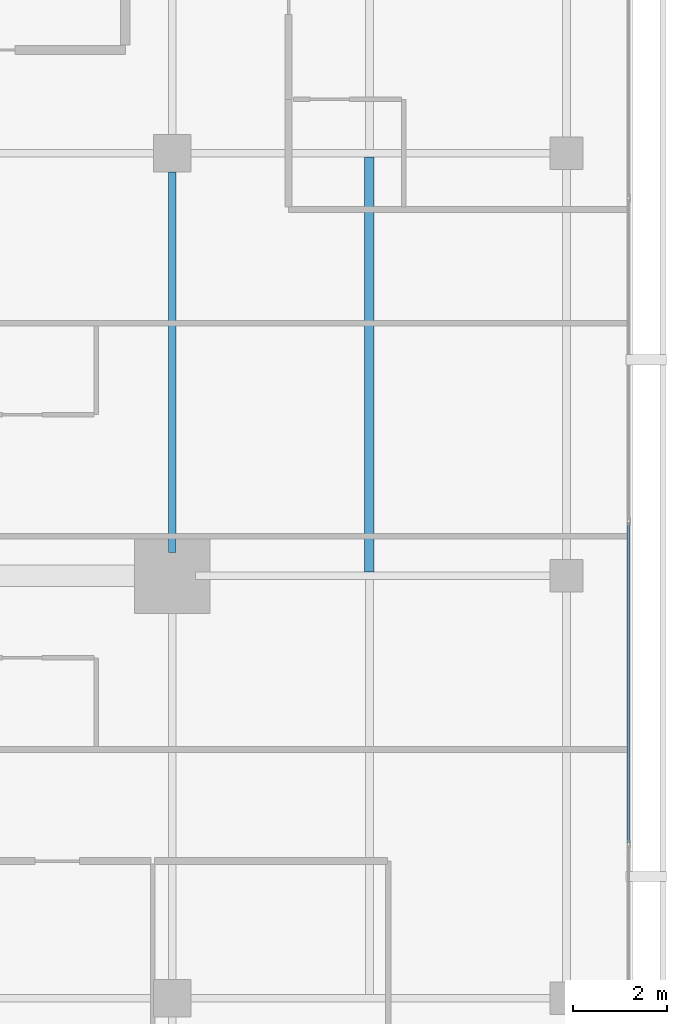
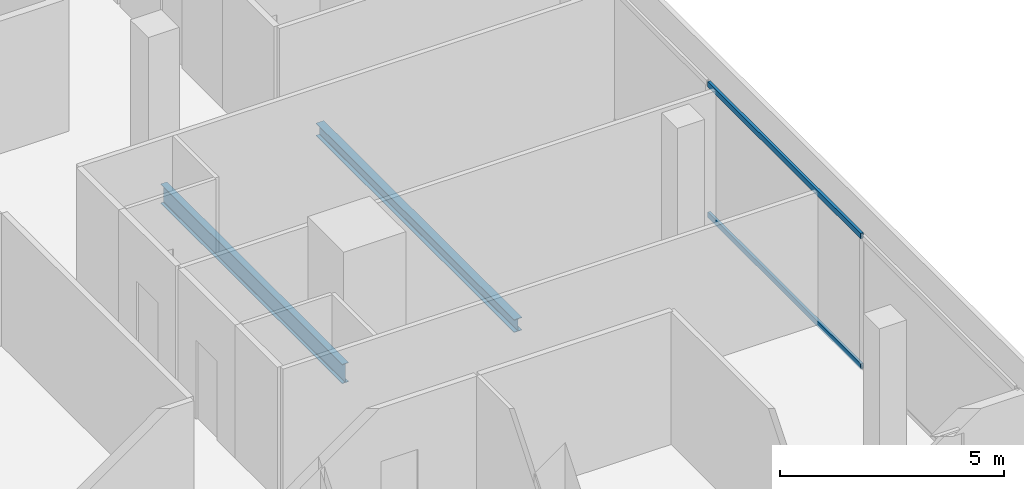
# One storey, part 13 of 25: 2 beams, 2 members, 1 element without a shape of its own.
"""IFC4 building model written with IfcOpenShell, lengths in metres."""

from ifc_helpers import new_model, si_unit, direction, frame, origin, origin_2d, place, context, subcontext, project, spatial, hollow_rectangle, i_section, extrude, material, layer, layer_set, material_profile, profile_set, type_object, element, aggregate, save


model = new_model("IFC4")

# Units and contexts
model_context = context("Model", 3, precision=1e-05, world=origin(), true_north=direction((0.0, 1.0)))
body_context = subcontext(model_context, "Body", "Model", "MODEL_VIEW")
ifc_project = project(units=[si_unit("LENGTHUNIT", "METRE"), si_unit("AREAUNIT", "SQUARE_METRE"), si_unit("VOLUMEUNIT", "CUBIC_METRE"), si_unit("PLANEANGLEUNIT", "RADIAN"), si_unit("MASSUNIT", "GRAM", prefix="KILO")], contexts=[model_context])

# Site, building, storey
site_placement = place(None, origin())
site = spatial("IfcSite", under=ifc_project, at=site_placement, CompositionType="ELEMENT")
building_placement = place(site_placement, origin())
building = spatial("IfcBuilding", under=site, at=building_placement, Name="Maruvema Waterfront Hotel and Observation Tower", CompositionType="ELEMENT")
storey_placement = place(building_placement, frame((0.0, 0.0, 297.14990234375)))
storey = spatial("IfcBuildingStorey", under=building, at=storey_placement, Name="L73", CompositionType="ELEMENT", Elevation=297.14990234375)

# Curtain wall, members
ifc_material_1 = material(Name="Anodised bronze aluminium and solar-control low-E IGU", Category="aluminium")
ifc_layer = layer(ifc_material_1, 0.159912109375, Name="Zone 3 Champagne Inner Thermal Curtain Wall System CW-04")
ifc_layer_set = layer_set([ifc_layer], Name="Anodised bronze aluminium and solar-control low-E IGU")
curtain_wall_type = type_object("IfcCurtainWallType", Name="Zone 3 Champagne Inner Thermal Curtain Wall System CW-04", PredefinedType="USERDEFINED", material=ifc_layer_set)
curtain_wall_placement = place(storey_placement, origin())
curtain_wall = element("IfcCurtainWall", 1, at=curtain_wall_placement, inside=storey, type_object=curtain_wall_type, Name="L73 Curtain Wall CW-L73-E", ObjectType="UNITISED CURTAIN WALL", PredefinedType="USERDEFINED")
ifc_material_2 = material(Name="Anodised architectural bronze aluminium", Category="aluminium")
ifc_material_profile_1 = material_profile(ifc_material_2, hollow_rectangle(XDim=0.070068359375, YDim=0.14990234375, WallThickness=0.00390625, at=origin_2d()), Name="ALU-T70x150")
ifc_profile_set_1 = profile_set([ifc_material_profile_1], Name="Anodised architectural bronze aluminium")
member_type = type_object("IfcMemberType", Name="Curtain Wall Horizontal Transom ALU-T70x150", PredefinedType="USERDEFINED", material=ifc_profile_set_1)
member_1_placement = place(storey_placement, frame((60.1201171875, 21.31005859375, 0.030029296875), z_axis=(0.0, 1.0, 0.0), x_axis=(-1.0, 0.0, 0.0)))
member_1 = element("IfcMember", 2, at=member_1_placement, type_object=member_type, Name="CW-04 transom 2.1", ObjectType="TRANSOM", PredefinedType="USERDEFINED", context=body_context, shape_type="SweptSolid", body=[
    extrude(hollow_rectangle(XDim=0.070068359375, YDim=0.14990234375, WallThickness=0.00390625, at=origin_2d()), origin(), (0.0, 0.0, 1.0), 6.81982421875),
])
member_2_placement = place(storey_placement, frame((60.1201171875, 21.31005859375, 3.580078125), z_axis=(0.0, 1.0, 0.0), x_axis=(-1.0, 0.0, 0.0)))
member_2 = element("IfcMember", 3, at=member_2_placement, type_object=member_type, Name="CW-04 transom 2.2", ObjectType="TRANSOM", PredefinedType="USERDEFINED", context=body_context, shape_type="SweptSolid", body=[
    extrude(hollow_rectangle(XDim=0.070068359375, YDim=0.14990234375, WallThickness=0.00390625, at=origin_2d()), origin(), (0.0, 0.0, 1.0), 6.81982421875),
])
aggregate(curtain_wall, [member_1, member_2])

# Beams
ifc_material_3 = material(Name="Steel ASTM A572 Grade 50", Category="steel")
ifc_material_profile_2 = material_profile(ifc_material_3, i_section(OverallWidth=0.166015625, OverallDepth=0.529052734375, WebThickness=0.009765625, FlangeThickness=0.013671875, FilletRadius=0.014892578125, at=origin_2d()), Name="W530x74.0")
ifc_profile_set_2 = profile_set([ifc_material_profile_2], Name="Steel ASTM A572 Grade 50")
beam_type_1 = type_object("IfcBeamType", Name="Primary Floor Girder W530x74.0", PredefinedType="BEAM", material=ifc_profile_set_2)
beam_1_placement = place(storey_placement, frame((50.39990234375, 27.5, -0.50439453125), z_axis=(0.0, 1.0, 0.0), x_axis=(-1.0, 0.0, 0.0)))
element("IfcBeam", 4, at=beam_1_placement, inside=storey, type_object=beam_type_1, Name="L73 Floor Girder NS-14", PredefinedType="BEAM", context=body_context, shape_type="SweptSolid", body=[
    extrude(i_section(OverallWidth=0.166015625, OverallDepth=0.529052734375, WebThickness=0.009765625, FlangeThickness=0.013671875, FilletRadius=0.014892578125, at=origin_2d()), origin(), (0.0, 0.0, 1.0), 8.10009765625),
])
ifc_material_4 = material(Name="Steel ASTM A572 Grade 50", Category="steel")
ifc_material_profile_3 = material_profile(ifc_material_4, i_section(OverallWidth=0.202880859375, OverallDepth=0.346923828125, WebThickness=0.0078125, FlangeThickness=0.013427734375, FilletRadius=0.014892578125, at=origin_2d()), Name="W360x64.0")
ifc_profile_set_3 = profile_set([ifc_material_profile_3], Name="Steel ASTM A572 Grade 50")
beam_type_2 = type_object("IfcBeamType", Name="Secondary Floor Joist W360x64.0", PredefinedType="JOIST", material=ifc_profile_set_3)
beam_2_placement = place(storey_placement, frame((54.60009765625, 27.0830078125, -0.413330078125), z_axis=(0.0, 1.0, 0.0), x_axis=(-1.0, 0.0, 0.0)))
element("IfcBeam", 5, at=beam_2_placement, inside=storey, type_object=beam_type_2, Name="L73 Secondary Floor Joist JS-08", PredefinedType="JOIST", context=body_context, shape_type="SweptSolid", body=[
    extrude(i_section(OverallWidth=0.202880859375, OverallDepth=0.346923828125, WebThickness=0.0078125, FlangeThickness=0.013427734375, FilletRadius=0.014892578125, at=origin_2d()), origin(), (0.0, 0.0, 1.0), 8.833984375),
])

save(model, "model.ifc")
